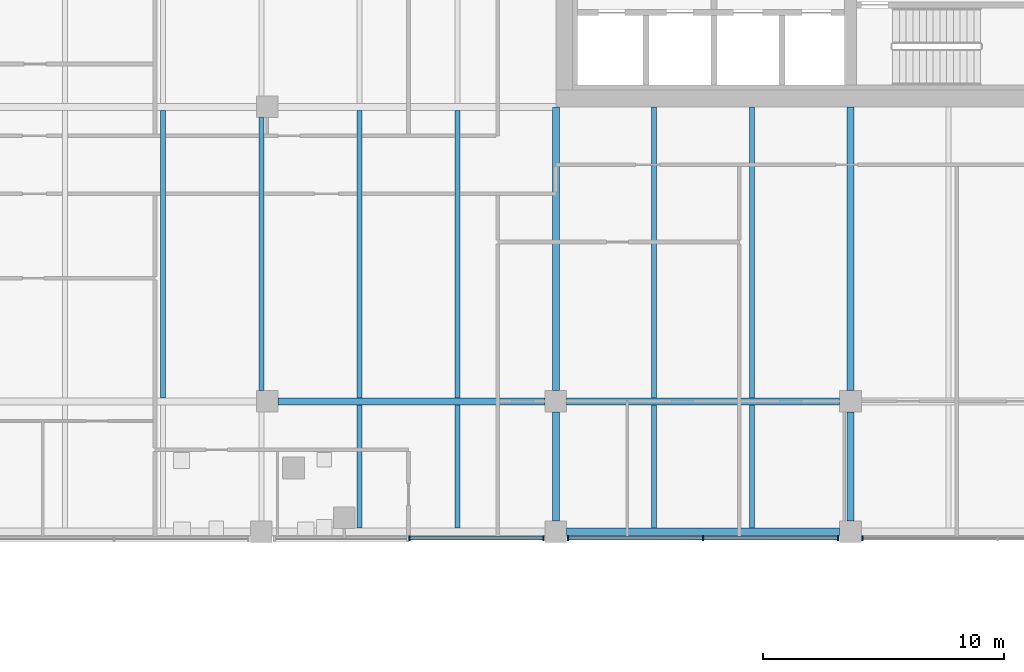
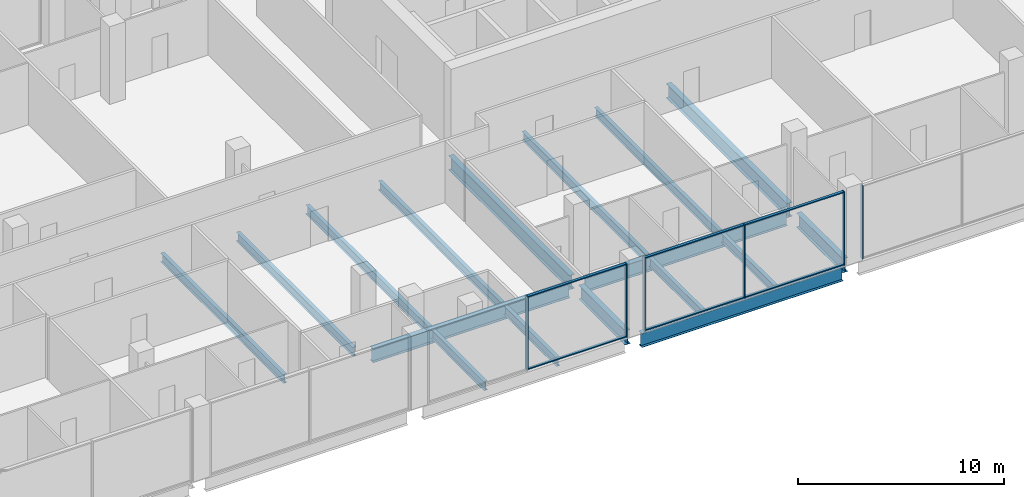
# One storey, part 8 of 33: 17 beams, 12 members, 3 elements without a shape of their own.
"""IFC4 building model written with IfcOpenShell, lengths in metres."""

from ifc_helpers import new_model, si_unit, direction, frame, origin, origin_2d, place, context, subcontext, project, spatial, rectangle, i_section, extrude, material, material_profile, profile_set, type_object, element, aggregate, save


model = new_model("IFC4")

# Units and contexts
model_context = context("Model", 3, precision=1e-05, world=origin(), true_north=direction((0.0, 1.0)))
body_context = subcontext(model_context, "Body", "Model", "MODEL_VIEW")
ifc_project = project(units=[si_unit("LENGTHUNIT", "METRE"), si_unit("AREAUNIT", "SQUARE_METRE"), si_unit("VOLUMEUNIT", "CUBIC_METRE"), si_unit("PLANEANGLEUNIT", "RADIAN"), si_unit("MASSUNIT", "GRAM", prefix="KILO")], contexts=[model_context])

# Site, building, storey
site_placement = place(None, origin())
site = spatial("IfcSite", under=ifc_project, at=site_placement, CompositionType="ELEMENT")
building_placement = place(site_placement, origin())
building = spatial("IfcBuilding", under=site, at=building_placement, Name="Tessera Gate Towers", CompositionType="ELEMENT")
storey_placement = place(building_placement, frame((0.0, 0.0, 12.0)))
storey = spatial("IfcBuildingStorey", under=building, at=storey_placement, Name="L02", CompositionType="ELEMENT", Elevation=12.0)

# Beams
ifc_material_1 = material(Name="Steel 350W", Category="steel")
ifc_material_profile_1 = material_profile(ifc_material_1, i_section(OverallWidth=0.2919921875, OverallDepth=0.8349609375, WebThickness=0.013916015625, FlangeThickness=0.018798828125, at=origin_2d()), Name="W840x176")
ifc_profile_set_1 = profile_set([ifc_material_profile_1], Name="Steel 350W")
beam_type_1 = type_object("IfcBeamType", Name="FLOOR GIRDER W840x176", PredefinedType="BEAM", material=ifc_profile_set_1)
beam_1_placement = place(storey_placement, frame((98.050048828125, 19.0, -0.66748046875), z_axis=(1.0, 0.0, 0.0), x_axis=(0.0, 1.0, 0.0)))
element("IfcBeam", 1, at=beam_1_placement, inside=storey, type_object=beam_type_1, Name="PD-GD-L02-367", PredefinedType="BEAM", context=body_context, shape_type="SweptSolid", body=[
    extrude(i_section(OverallWidth=0.2919921875, OverallDepth=0.8349609375, WebThickness=0.013916015625, FlangeThickness=0.018798828125, at=origin_2d()), origin(), (0.0, 0.0, 1.0), 11.300048828125),
])
beam_2_placement = place(storey_placement, frame((86.10009765625, 24.39990234375, -0.66748046875), z_axis=(1.0, 0.0, 0.0), x_axis=(0.0, 1.0, 0.0)))
element("IfcBeam", 2, at=beam_2_placement, inside=storey, type_object=beam_type_1, Name="PD-GD-L02-385", PredefinedType="BEAM", context=body_context, shape_type="SweptSolid", body=[
    extrude(i_section(OverallWidth=0.2919921875, OverallDepth=0.8349609375, WebThickness=0.013916015625, FlangeThickness=0.018798828125, at=origin_2d()), origin(), (0.0, 0.0, 1.0), 11.0498046875),
])
beam_3_placement = place(storey_placement, frame((98.050048828125, 24.39990234375, -0.66748046875), z_axis=(1.0, 0.0, 0.0), x_axis=(0.0, 1.0, 0.0)))
element("IfcBeam", 3, at=beam_3_placement, inside=storey, type_object=beam_type_1, Name="PD-GD-L02-386", PredefinedType="BEAM", context=body_context, shape_type="SweptSolid", body=[
    extrude(i_section(OverallWidth=0.2919921875, OverallDepth=0.8349609375, WebThickness=0.013916015625, FlangeThickness=0.018798828125, at=origin_2d()), origin(), (0.0, 0.0, 1.0), 11.300048828125),
])
beam_4_placement = place(storey_placement, frame((97.60009765625, 19.449951171875, -0.66748046875), z_axis=(0.0, 1.0, 0.0), x_axis=(-1.0, 0.0, 0.0)))
element("IfcBeam", 4, at=beam_4_placement, inside=storey, type_object=beam_type_1, Name="PD-GD-L02-431", PredefinedType="BEAM", context=body_context, shape_type="SweptSolid", body=[
    extrude(i_section(OverallWidth=0.2919921875, OverallDepth=0.8349609375, WebThickness=0.013916015625, FlangeThickness=0.018798828125, at=origin_2d()), origin(), (0.0, 0.0, 1.0), 4.5),
])
beam_5_placement = place(storey_placement, frame((97.60009765625, 24.85009765625, -0.66748046875), z_axis=(0.0, 1.0, 0.0), x_axis=(-1.0, 0.0, 0.0)))
element("IfcBeam", 5, at=beam_5_placement, inside=storey, type_object=beam_type_1, Name="PD-GD-L02-432", PredefinedType="BEAM", context=body_context, shape_type="SweptSolid", body=[
    extrude(i_section(OverallWidth=0.2919921875, OverallDepth=0.8349609375, WebThickness=0.013916015625, FlangeThickness=0.018798828125, at=origin_2d()), origin(), (0.0, 0.0, 1.0), 11.75),
])
beam_6_placement = place(storey_placement, frame((109.800048828125, 19.449951171875, -0.66748046875), z_axis=(0.0, 1.0, 0.0), x_axis=(-1.0, 0.0, 0.0)))
element("IfcBeam", 6, at=beam_6_placement, inside=storey, type_object=beam_type_1, Name="PD-GD-L02-433", PredefinedType="BEAM", context=body_context, shape_type="SweptSolid", body=[
    extrude(i_section(OverallWidth=0.2919921875, OverallDepth=0.8349609375, WebThickness=0.013916015625, FlangeThickness=0.018798828125, at=origin_2d()), origin(), (0.0, 0.0, 1.0), 4.5),
])
beam_7_placement = place(storey_placement, frame((109.800048828125, 24.85009765625, -0.66748046875), z_axis=(0.0, 1.0, 0.0), x_axis=(-1.0, 0.0, 0.0)))
element("IfcBeam", 7, at=beam_7_placement, inside=storey, type_object=beam_type_1, Name="PD-GD-L02-434", PredefinedType="BEAM", context=body_context, shape_type="SweptSolid", body=[
    extrude(i_section(OverallWidth=0.2919921875, OverallDepth=0.8349609375, WebThickness=0.013916015625, FlangeThickness=0.018798828125, at=origin_2d()), origin(), (0.0, 0.0, 1.0), 11.75),
])
ifc_material_2 = material(Name="Steel 350W", Category="steel")
ifc_material_profile_2 = material_profile(ifc_material_2, i_section(OverallWidth=0.208984375, OverallDepth=0.528076171875, WebThickness=0.009521484375, FlangeThickness=0.01318359375, at=origin_2d()), Name="W530x82")
ifc_profile_set_2 = profile_set([ifc_material_profile_2], Name="Steel 350W")
beam_type_2 = type_object("IfcBeamType", Name="FLOOR SECONDARY W530x82", PredefinedType="BEAM", material=ifc_profile_set_2)
beam_8_placement = place(storey_placement, frame((81.333251953125, 24.5458984375, -0.513916015625), z_axis=(0.0, 1.0, 0.0), x_axis=(-1.0, 0.0, 0.0)))
element("IfcBeam", 8, at=beam_8_placement, inside=storey, type_object=beam_type_2, Name="PD-BM-L02-512", PredefinedType="BEAM", context=body_context, shape_type="SweptSolid", body=[
    extrude(i_section(OverallWidth=0.208984375, OverallDepth=0.528076171875, WebThickness=0.009521484375, FlangeThickness=0.01318359375, at=origin_2d()), origin(), (0.0, 0.0, 1.0), 11.908203125),
])
beam_9_placement = place(storey_placement, frame((85.39990234375, 24.85009765625, -0.513916015625), z_axis=(0.0, 1.0, 0.0), x_axis=(-1.0, 0.0, 0.0)))
element("IfcBeam", 9, at=beam_9_placement, inside=storey, type_object=beam_type_2, Name="PD-BM-L02-516", PredefinedType="BEAM", context=body_context, shape_type="SweptSolid", body=[
    extrude(i_section(OverallWidth=0.208984375, OverallDepth=0.528076171875, WebThickness=0.009521484375, FlangeThickness=0.01318359375, at=origin_2d()), origin(), (0.0, 0.0, 1.0), 11.2998046875),
])
beam_10_placement = place(storey_placement, frame((89.466796875, 19.14599609375, -0.513916015625), z_axis=(0.0, 1.0, 0.0), x_axis=(-1.0, 0.0, 0.0)))
element("IfcBeam", 10, at=beam_10_placement, inside=storey, type_object=beam_type_2, Name="PD-BM-L02-519", PredefinedType="BEAM", context=body_context, shape_type="SweptSolid", body=[
    extrude(i_section(OverallWidth=0.208984375, OverallDepth=0.528076171875, WebThickness=0.009521484375, FlangeThickness=0.01318359375, at=origin_2d()), origin(), (0.0, 0.0, 1.0), 5.10791015625),
])
beam_11_placement = place(storey_placement, frame((89.466796875, 24.5458984375, -0.513916015625), z_axis=(0.0, 1.0, 0.0), x_axis=(-1.0, 0.0, 0.0)))
element("IfcBeam", 11, at=beam_11_placement, inside=storey, type_object=beam_type_2, Name="PD-BM-L02-520", PredefinedType="BEAM", context=body_context, shape_type="SweptSolid", body=[
    extrude(i_section(OverallWidth=0.208984375, OverallDepth=0.528076171875, WebThickness=0.009521484375, FlangeThickness=0.01318359375, at=origin_2d()), origin(), (0.0, 0.0, 1.0), 11.908203125),
])
beam_12_placement = place(storey_placement, frame((93.533203125, 19.14599609375, -0.513916015625), z_axis=(0.0, 1.0, 0.0), x_axis=(-1.0, 0.0, 0.0)))
element("IfcBeam", 12, at=beam_12_placement, inside=storey, type_object=beam_type_2, Name="PD-BM-L02-523", PredefinedType="BEAM", context=body_context, shape_type="SweptSolid", body=[
    extrude(i_section(OverallWidth=0.208984375, OverallDepth=0.528076171875, WebThickness=0.009521484375, FlangeThickness=0.01318359375, at=origin_2d()), origin(), (0.0, 0.0, 1.0), 5.10791015625),
])
beam_13_placement = place(storey_placement, frame((93.533203125, 24.5458984375, -0.513916015625), z_axis=(0.0, 1.0, 0.0), x_axis=(-1.0, 0.0, 0.0)))
element("IfcBeam", 13, at=beam_13_placement, inside=storey, type_object=beam_type_2, Name="PD-BM-L02-524", PredefinedType="BEAM", context=body_context, shape_type="SweptSolid", body=[
    extrude(i_section(OverallWidth=0.208984375, OverallDepth=0.528076171875, WebThickness=0.009521484375, FlangeThickness=0.01318359375, at=origin_2d()), origin(), (0.0, 0.0, 1.0), 11.908203125),
])
beam_14_placement = place(storey_placement, frame((101.666748046875, 19.14599609375, -0.513916015625), z_axis=(0.0, 1.0, 0.0), x_axis=(-1.0, 0.0, 0.0)))
element("IfcBeam", 14, at=beam_14_placement, inside=storey, type_object=beam_type_2, Name="PD-BM-L02-528", PredefinedType="BEAM", context=body_context, shape_type="SweptSolid", body=[
    extrude(i_section(OverallWidth=0.208984375, OverallDepth=0.528076171875, WebThickness=0.009521484375, FlangeThickness=0.01318359375, at=origin_2d()), origin(), (0.0, 0.0, 1.0), 5.10791015625),
])
beam_15_placement = place(storey_placement, frame((101.666748046875, 24.5458984375, -0.513916015625), z_axis=(0.0, 1.0, 0.0), x_axis=(-1.0, 0.0, 0.0)))
element("IfcBeam", 15, at=beam_15_placement, inside=storey, type_object=beam_type_2, Name="PD-BM-L02-529", PredefinedType="BEAM", context=body_context, shape_type="SweptSolid", body=[
    extrude(i_section(OverallWidth=0.208984375, OverallDepth=0.528076171875, WebThickness=0.009521484375, FlangeThickness=0.01318359375, at=origin_2d()), origin(), (0.0, 0.0, 1.0), 12.05419921875),
])
beam_16_placement = place(storey_placement, frame((105.7333984375, 19.14599609375, -0.513916015625), z_axis=(0.0, 1.0, 0.0), x_axis=(-1.0, 0.0, 0.0)))
element("IfcBeam", 16, at=beam_16_placement, inside=storey, type_object=beam_type_2, Name="PD-BM-L02-531", PredefinedType="BEAM", context=body_context, shape_type="SweptSolid", body=[
    extrude(i_section(OverallWidth=0.208984375, OverallDepth=0.528076171875, WebThickness=0.009521484375, FlangeThickness=0.01318359375, at=origin_2d()), origin(), (0.0, 0.0, 1.0), 5.10791015625),
])
beam_17_placement = place(storey_placement, frame((105.7333984375, 24.5458984375, -0.513916015625), z_axis=(0.0, 1.0, 0.0), x_axis=(-1.0, 0.0, 0.0)))
element("IfcBeam", 17, at=beam_17_placement, inside=storey, type_object=beam_type_2, Name="PD-BM-L02-532", PredefinedType="BEAM", context=body_context, shape_type="SweptSolid", body=[
    extrude(i_section(OverallWidth=0.208984375, OverallDepth=0.528076171875, WebThickness=0.009521484375, FlangeThickness=0.01318359375, at=origin_2d()), origin(), (0.0, 0.0, 1.0), 12.05419921875),
])

# Curtain wall, members
ifc_material_3 = material(Name="Aluminium frame", Category="aluminium")
curtain_wall_type = type_object("IfcCurtainWallType", Name="CW-S1 podium storefront", PredefinedType="NOTDEFINED", material=ifc_material_3)
curtain_wall_1_placement = place(storey_placement, origin())
curtain_wall_1 = element("IfcCurtainWall", 18, at=curtain_wall_1_placement, inside=storey, type_object=curtain_wall_type, Name="Curtain wall podium storefront 0165", PredefinedType="NOTDEFINED")
ifc_material_4 = material(Name="Aluminium frame", Category="aluminium")
ifc_material_profile_3 = material_profile(ifc_material_4, rectangle(XDim=0.06005859375, YDim=0.199951171875, at=origin_2d()), Name="AL 60x200")
ifc_profile_set_3 = profile_set([ifc_material_profile_3], Name="Aluminium frame")
member_type_1 = type_object("IfcMemberType", Name="MU-S1 mullion 60x200", PredefinedType="MULLION", material=ifc_profile_set_3)
member_1_placement = place(storey_placement, frame((91.530029296875, 18.72509765625, 0.0), z_axis=(0.0, 0.0, 1.0), x_axis=(1.0, 0.0, 0.0)))
member_1 = element("IfcMember", 19, at=member_1_placement, type_object=member_type_1, Name="PD-CW1-0165 mullion 1", PredefinedType="MULLION", context=body_context, shape_type="SweptSolid", body=[
    extrude(rectangle(XDim=0.06005859375, YDim=0.199951171875, at=origin_2d()), origin(), (0.0, 0.0, 1.0), 4.35009765625),
])
member_2_placement = place(storey_placement, frame((97.090087890625, 18.72509765625, 0.0), z_axis=(0.0, 0.0, 1.0), x_axis=(1.0, 0.0, 0.0)))
member_2 = element("IfcMember", 20, at=member_2_placement, type_object=member_type_1, Name="PD-CW1-0165 mullion 2", PredefinedType="MULLION", context=body_context, shape_type="SweptSolid", body=[
    extrude(rectangle(XDim=0.06005859375, YDim=0.199951171875, at=origin_2d()), origin(), (0.0, 0.0, 1.0), 4.35009765625),
])

curtain_wall_2_placement = place(storey_placement, origin())
curtain_wall_2 = element("IfcCurtainWall", 21, at=curtain_wall_2_placement, inside=storey, type_object=curtain_wall_type, Name="Curtain wall podium storefront 0166", PredefinedType="NOTDEFINED")
member_3_placement = place(storey_placement, frame((98.110107421875, 18.72509765625, 0.0), z_axis=(0.0, 0.0, 1.0), x_axis=(1.0, 0.0, 0.0)))
member_3 = element("IfcMember", 22, at=member_3_placement, type_object=member_type_1, Name="PD-CW1-0166 mullion 1", PredefinedType="MULLION", context=body_context, shape_type="SweptSolid", body=[
    extrude(rectangle(XDim=0.06005859375, YDim=0.199951171875, at=origin_2d()), origin(), (0.0, 0.0, 1.0), 4.35009765625),
])
member_4_placement = place(storey_placement, frame((103.699951171875, 18.72509765625, 0.0), z_axis=(0.0, 0.0, 1.0), x_axis=(1.0, 0.0, 0.0)))
member_4 = element("IfcMember", 23, at=member_4_placement, type_object=member_type_1, Name="PD-CW1-0166 mullion 2", PredefinedType="MULLION", context=body_context, shape_type="SweptSolid", body=[
    extrude(rectangle(XDim=0.06005859375, YDim=0.199951171875, at=origin_2d()), origin(), (0.0, 0.0, 1.0), 4.35009765625),
])
member_5_placement = place(storey_placement, frame((109.2900390625, 18.72509765625, 0.0), z_axis=(0.0, 0.0, 1.0), x_axis=(1.0, 0.0, 0.0)))
member_5 = element("IfcMember", 24, at=member_5_placement, type_object=member_type_1, Name="PD-CW1-0166 mullion 3", PredefinedType="MULLION", context=body_context, shape_type="SweptSolid", body=[
    extrude(rectangle(XDim=0.06005859375, YDim=0.199951171875, at=origin_2d()), origin(), (0.0, 0.0, 1.0), 4.35009765625),
])

# Curtain wall, member
curtain_wall_3_placement = place(storey_placement, origin())
curtain_wall_3 = element("IfcCurtainWall", 25, at=curtain_wall_3_placement, inside=storey, type_object=curtain_wall_type, Name="Curtain wall podium storefront 0167", PredefinedType="NOTDEFINED")
member_6_placement = place(storey_placement, frame((110.31005859375, 18.72509765625, 0.0), z_axis=(0.0, 0.0, 1.0), x_axis=(1.0, 0.0, 0.0)))
member_6 = element("IfcMember", 26, at=member_6_placement, type_object=member_type_1, Name="PD-CW1-0167 mullion 1", PredefinedType="MULLION", context=body_context, shape_type="SweptSolid", body=[
    extrude(rectangle(XDim=0.06005859375, YDim=0.199951171875, at=origin_2d()), origin(), (0.0, 0.0, 1.0), 4.35009765625),
])
aggregate(curtain_wall_3, [member_6])

# Member
ifc_material_5 = material(Name="Aluminium frame", Category="aluminium")
ifc_material_profile_4 = material_profile(ifc_material_5, rectangle(XDim=0.14990234375, YDim=0.06005859375, at=origin_2d()), Name="AL 60x150")
ifc_profile_set_4 = profile_set([ifc_material_profile_4], Name="Aluminium frame")
member_type_2 = type_object("IfcMemberType", Name="TR-S1 transom 60x150", PredefinedType="USERDEFINED", material=ifc_profile_set_4)
member_7_placement = place(storey_placement, frame((91.56005859375, 18.72509765625, 0.030029296875), z_axis=(1.0, 0.0, 0.0), x_axis=(0.0, 1.0, 0.0)))
member_7 = element("IfcMember", 27, at=member_7_placement, type_object=member_type_2, Name="PD-CW1-0165 transom 1.1", ObjectType="TRANSOM", PredefinedType="USERDEFINED", context=body_context, shape_type="SweptSolid", body=[
    extrude(rectangle(XDim=0.14990234375, YDim=0.06005859375, at=origin_2d()), origin(), (0.0, 0.0, 1.0), 5.5),
])

member_8_placement = place(storey_placement, frame((91.56005859375, 18.72509765625, 4.320068359375), z_axis=(1.0, 0.0, 0.0), x_axis=(0.0, 1.0, 0.0)))
member_8 = element("IfcMember", 28, at=member_8_placement, type_object=member_type_2, Name="PD-CW1-0165 transom 1.2", ObjectType="TRANSOM", PredefinedType="USERDEFINED", context=body_context, shape_type="SweptSolid", body=[
    extrude(rectangle(XDim=0.14990234375, YDim=0.06005859375, at=origin_2d()), origin(), (0.0, 0.0, 1.0), 5.5),
])

aggregate(curtain_wall_1, [member_1, member_2, member_7, member_8])

member_9_placement = place(storey_placement, frame((98.139892578125, 18.72509765625, 0.030029296875), z_axis=(1.0, 0.0, 0.0), x_axis=(0.0, 1.0, 0.0)))
member_9 = element("IfcMember", 29, at=member_9_placement, type_object=member_type_2, Name="PD-CW1-0166 transom 1.1", ObjectType="TRANSOM", PredefinedType="USERDEFINED", context=body_context, shape_type="SweptSolid", body=[
    extrude(rectangle(XDim=0.14990234375, YDim=0.06005859375, at=origin_2d()), origin(), (0.0, 0.0, 1.0), 5.530029296875),
])

member_10_placement = place(storey_placement, frame((98.139892578125, 18.72509765625, 4.320068359375), z_axis=(1.0, 0.0, 0.0), x_axis=(0.0, 1.0, 0.0)))
member_10 = element("IfcMember", 30, at=member_10_placement, type_object=member_type_2, Name="PD-CW1-0166 transom 1.2", ObjectType="TRANSOM", PredefinedType="USERDEFINED", context=body_context, shape_type="SweptSolid", body=[
    extrude(rectangle(XDim=0.14990234375, YDim=0.06005859375, at=origin_2d()), origin(), (0.0, 0.0, 1.0), 5.530029296875),
])

member_11_placement = place(storey_placement, frame((103.72998046875, 18.72509765625, 0.030029296875), z_axis=(1.0, 0.0, 0.0), x_axis=(0.0, 1.0, 0.0)))
member_11 = element("IfcMember", 31, at=member_11_placement, type_object=member_type_2, Name="PD-CW1-0166 transom 2.1", ObjectType="TRANSOM", PredefinedType="USERDEFINED", context=body_context, shape_type="SweptSolid", body=[
    extrude(rectangle(XDim=0.14990234375, YDim=0.06005859375, at=origin_2d()), origin(), (0.0, 0.0, 1.0), 5.530029296875),
])

member_12_placement = place(storey_placement, frame((103.72998046875, 18.72509765625, 4.320068359375), z_axis=(1.0, 0.0, 0.0), x_axis=(0.0, 1.0, 0.0)))
member_12 = element("IfcMember", 32, at=member_12_placement, type_object=member_type_2, Name="PD-CW1-0166 transom 2.2", ObjectType="TRANSOM", PredefinedType="USERDEFINED", context=body_context, shape_type="SweptSolid", body=[
    extrude(rectangle(XDim=0.14990234375, YDim=0.06005859375, at=origin_2d()), origin(), (0.0, 0.0, 1.0), 5.530029296875),
])

aggregate(curtain_wall_2, [member_3, member_4, member_5, member_9, member_10, member_11, member_12])

save(model, "model.ifc")
